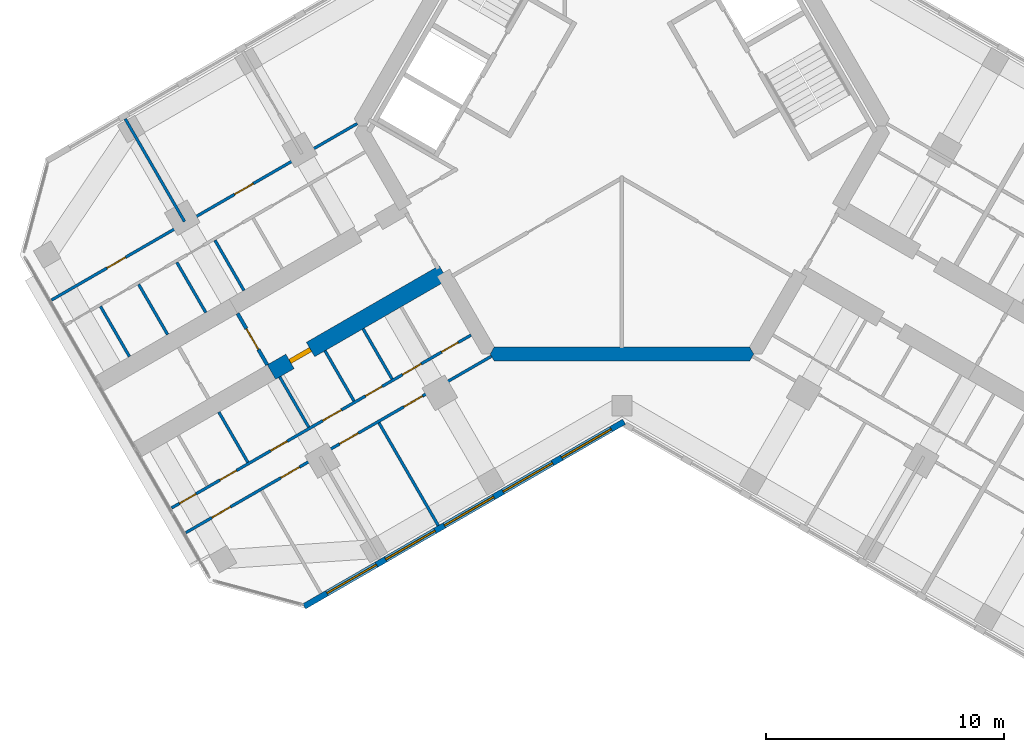
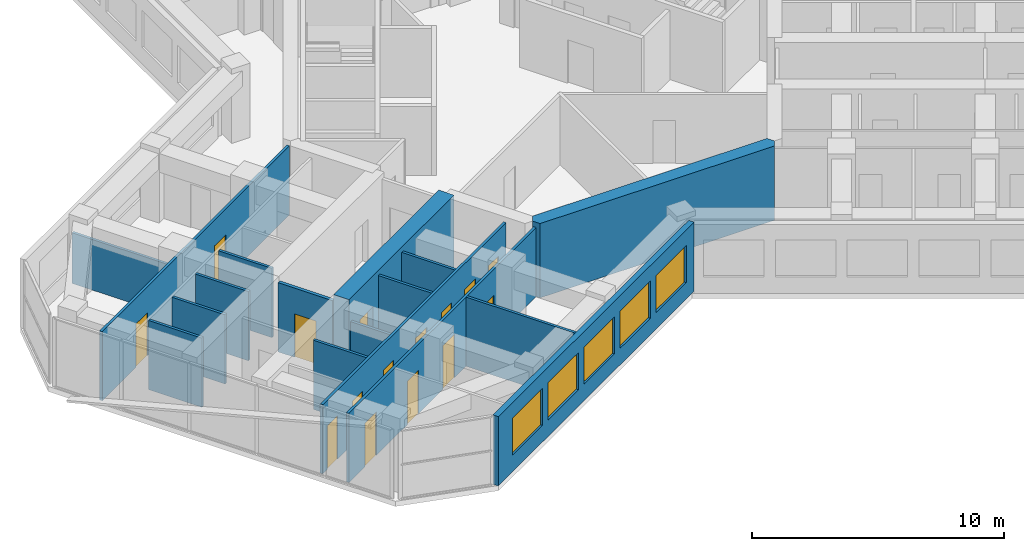
# One storey, part 8 of 16: 17 walls, 15 doors, 5 windows, 20 openings.
"""IFC4 building model written with IfcOpenShell, lengths in metres."""

from ifc_helpers import new_model, si_unit, direction, frame, frame_2d, origin, place, context, subcontext, project, spatial, polyline, rectangle, outline, extrude, material, layer, layer_set, type_object, element, fill, save


model = new_model("IFC4")

# Units and contexts
model_context = context("Model", 3, precision=1e-05, world=origin(), true_north=direction((0.0, 1.0)))
body_context = subcontext(model_context, "Body", "Model", "MODEL_VIEW")
ifc_project = project(units=[si_unit("LENGTHUNIT", "METRE"), si_unit("AREAUNIT", "SQUARE_METRE"), si_unit("VOLUMEUNIT", "CUBIC_METRE"), si_unit("PLANEANGLEUNIT", "RADIAN"), si_unit("MASSUNIT", "GRAM", prefix="KILO")], contexts=[model_context])

# Site, building, storey
site_placement = place(None, origin())
site = spatial("IfcSite", under=ifc_project, at=site_placement, CompositionType="ELEMENT")
building_placement = place(site_placement, origin())
building = spatial("IfcBuilding", under=site, at=building_placement, Name="Kosmar Iwan School Tower", CompositionType="ELEMENT")
storey_placement = place(building_placement, frame((0.0, 0.0, 238.800048828125)))
storey = spatial("IfcBuildingStorey", under=building, at=storey_placement, Name="L60", CompositionType="ELEMENT", Elevation=238.800048828125)

# Wall
ifc_material_1 = material(Name="Concrete C50/60", Category="concrete")
ifc_layer_1 = layer(ifc_material_1, 0.60009765625)
ifc_layer_set_1 = layer_set([ifc_layer_1], Name="Core wall 600")
wall_type_1 = type_object("IfcWallType", Name="Core wall 600", PredefinedType="SHEAR", material=ifc_layer_set_1)
wall_1_placement = place(storey_placement, origin())
element("IfcWall", 1, at=wall_1_placement, inside=storey, type_object=wall_type_1, Name="Core wall F270", PredefinedType="SHEAR", context=body_context, shape_type="SweptSolid", body=[
    extrude(outline(polyline([(-5.369384765625, -9.89990234375), (5.369384765625, -9.89990234375), (5.54248046875, -9.60009765625), (5.369384765625, -9.300048828125), (-5.369384765625, -9.300048828125), (-5.54248046875, -9.60009765625), (-5.369384765625, -9.89990234375)])), origin(), (0.0, 0.0, 1.0), 3.599853515625),
])

# Wall, opening, door
ifc_material_2 = material(Name="Concrete C50/60", Category="concrete")
ifc_layer_2 = layer(ifc_material_2, 0.699951171875)
ifc_layer_set_2 = layer_set([ifc_layer_2], Name="Corridor buttress wall 700")
wall_type_2 = type_object("IfcWallType", Name="Corridor buttress wall 700", PredefinedType="SHEAR", material=ifc_layer_set_2)
wall_2_placement = place(storey_placement, frame((-7.513916015625, -6.185546875, 0.0), z_axis=(0.0, 0.0, 1.0), x_axis=(-0.866019549707, -0.500010139422, 0.0)))
wall_2 = element("IfcWall", 2, at=wall_2_placement, inside=storey, type_object=wall_type_2, Name="Corridor wall BL", PredefinedType="SHEAR", context=body_context, shape_type="SweptSolid", body=[
    extrude(rectangle(XDim=8.349853515625, YDim=0.699951171875, at=frame_2d((4.1748046875, 0.0))), origin(), (0.0, 0.0, 1.0), 3.599853515625),
])
opening_1_placement = place(wall_2_placement, frame((6.449951171875, 0.0, 0.0)))
opening_1 = element("IfcOpeningElement", 3, at=opening_1_placement, cuts=wall_2, Name="Opening D1", PredefinedType="OPENING", context=body_context, shape_type="SweptSolid", body=[
    extrude(rectangle(XDim=1.0, YDim=2.10009765625, at=frame_2d((0.5, 1.050048828125))), frame((0.0, 0.362060546875, 0.0), z_axis=(0.0, -1.0, 0.0), x_axis=(1.0, 0.0, 0.0)), (0.0, 0.0, 1.0), 0.723876953125),
])
ifc_material_3 = material(Name="Timber fire door in steel frame", Category="steel")
door_type_1 = type_object("IfcDoorType", Name="Flat entrance door 1000x2100", OperationType="SINGLE_SWING_LEFT", PredefinedType="DOOR", material=ifc_material_3)
door_1_placement = place(opening_1_placement, origin())
door_1 = element("IfcDoor", 4, at=door_1_placement, inside=storey, type_object=door_type_1, Name="Flat L60-BL1 entrance door", OperationType="SINGLE_SWING_LEFT", OverallHeight=2.10009765625, OverallWidth=1.0, PredefinedType="DOOR", context=body_context, shape_type="SweptSolid", body=[
    extrude(rectangle(XDim=1.0, YDim=2.10009765625, at=frame_2d((0.5, 1.050048828125))), frame((0.0, 0.10009765625, 0.0), z_axis=(0.0, -1.0, 0.0), x_axis=(1.0, 0.0, 0.0)), (0.0, 0.0, 1.0), 0.199951171875),
])
fill(opening_1, door_1)

ifc_material_4 = material(Name="Gypsum board on steel studs, fire-rated", Category="steel")
ifc_layer_3 = layer(ifc_material_4, 0.14990234375)
ifc_layer_set_3 = layer_set([ifc_layer_3], Name="Corridor end wall 150")
wall_type_3 = type_object("IfcWallType", Name="Corridor end wall 150", PredefinedType="PARTITIONING", material=ifc_layer_set_3)
wall_3_placement = place(storey_placement, frame((-16.170166015625, -7.892578125, 0.0), z_axis=(0.0, 0.0, 1.0), x_axis=(0.500004234368, -0.866022959057, 0.0)))
wall_3 = element("IfcWall", 5, at=wall_3_placement, inside=storey, type_object=wall_type_3, Name="Partition L60-B-HW", PredefinedType="PARTITIONING", context=body_context, shape_type="SweptSolid", body=[
    extrude(rectangle(XDim=2.5, YDim=0.14990234375, at=frame_2d((1.25, 0.0))), origin(), (0.0, 0.0, 1.0), 3.349853515625),
])
opening_2_placement = place(wall_3_placement, frame((0.75, 0.0, 0.0)))
opening_2 = element("IfcOpeningElement", 6, at=opening_2_placement, cuts=wall_3, Name="Opening D13", PredefinedType="OPENING", context=body_context, shape_type="SweptSolid", body=[
    extrude(rectangle(XDim=1.0, YDim=2.10009765625, at=frame_2d((0.5, 1.050048828125))), frame((0.0, 0.0869140625, 0.0), z_axis=(0.0, -1.0, 0.0), x_axis=(1.0, 0.0, 0.0)), (0.0, 0.0, 1.0), 0.173828125),
])
ifc_material_5 = material(Name="Timber fire door with vision panel", Category="wood")
door_type_2 = type_object("IfcDoorType", Name="Corridor end door 1000x2100", OperationType="SINGLE_SWING_LEFT", PredefinedType="DOOR", material=ifc_material_5)
door_2_placement = place(opening_2_placement, origin())
door_2 = element("IfcDoor", 7, at=door_2_placement, inside=storey, type_object=door_type_2, Name="Entrance door L60-B", OperationType="SINGLE_SWING_LEFT", OverallHeight=2.10009765625, OverallWidth=1.0, PredefinedType="DOOR", context=body_context, shape_type="SweptSolid", body=[
    extrude(rectangle(XDim=1.0, YDim=2.10009765625, at=frame_2d((0.5, 1.050048828125))), frame((0.0, 0.02490234375, 0.0), z_axis=(0.0, -1.0, 0.0), x_axis=(1.0, 0.0, 0.0)), (0.0, 0.0, 1.0), 0.050048828125),
])
fill(opening_2, door_2)

# Wall, openings, doors
ifc_material_6 = material(Name="Gypsum board on steel studs", Category="steel")
ifc_layer_4 = layer(ifc_material_6, 0.1201171875)
ifc_layer_set_4 = layer_set([ifc_layer_4], Name="Dwelling partition 120")
wall_type_4 = type_object("IfcWallType", Name="Dwelling partition 120", PredefinedType="PARTITIONING", material=ifc_layer_set_4)
wall_4_placement = place(storey_placement, frame((-6.3486328125, -8.8037109375, 0.0), z_axis=(0.0, 0.0, 1.0), x_axis=(-0.866020949409, -0.500007715126, 0.0)))
wall_4 = element("IfcWall", 8, at=wall_4_placement, inside=storey, type_object=wall_type_4, Name="Partition L60-BL1-W1", PredefinedType="PARTITIONING", context=body_context, shape_type="SweptSolid", body=[
    extrude(rectangle(XDim=14.545166015625, YDim=0.1201171875, at=frame_2d((7.2724609375, 0.0))), origin(), (0.0, 0.0, 1.0), 3.349853515625),
])
opening_3_placement = place(wall_4_placement, frame((0.625, 0.0, 0.0)))
opening_3 = element("IfcOpeningElement", 9, at=opening_3_placement, cuts=wall_4, Name="Opening D3", PredefinedType="OPENING", context=body_context, shape_type="SweptSolid", body=[
    extrude(rectangle(XDim=0.800048828125, YDim=2.10009765625, at=frame_2d((0.39990234375, 1.050048828125))), frame((0.0, 0.072021484375, 0.0), z_axis=(0.0, -1.0, 0.0), x_axis=(1.0, 0.0, 0.0)), (0.0, 0.0, 1.0), 0.14404296875),
])
opening_4_placement = place(wall_4_placement, frame((2.425048828125, 0.0, 0.0)))
opening_4 = element("IfcOpeningElement", 10, at=opening_4_placement, cuts=wall_4, Name="Opening D2", PredefinedType="OPENING", context=body_context, shape_type="SweptSolid", body=[
    extrude(rectangle(XDim=0.89990234375, YDim=2.10009765625, at=frame_2d((0.449951171875, 1.050048828125))), frame((0.0, 0.072021484375, 0.0), z_axis=(0.0, -1.0, 0.0), x_axis=(1.0, 0.0, 0.0)), (0.0, 0.0, 1.0), 0.14404296875),
])
opening_5_placement = place(wall_4_placement, frame((4.324951171875, 0.0, 0.0)))
opening_5 = element("IfcOpeningElement", 11, at=opening_5_placement, cuts=wall_4, Name="Opening D3", PredefinedType="OPENING", context=body_context, shape_type="SweptSolid", body=[
    extrude(rectangle(XDim=0.800048828125, YDim=2.10009765625, at=frame_2d((0.39990234375, 1.050048828125))), frame((0.0, 0.072021484375, 0.0), z_axis=(0.0, -1.0, 0.0), x_axis=(1.0, 0.0, 0.0)), (0.0, 0.0, 1.0), 0.14404296875),
])
opening_6_placement = place(wall_4_placement, frame((6.300048828125, 0.0, 0.0)))
opening_6 = element("IfcOpeningElement", 12, at=opening_6_placement, cuts=wall_4, Name="Opening D2", PredefinedType="OPENING", context=body_context, shape_type="SweptSolid", body=[
    extrude(rectangle(XDim=0.89990234375, YDim=2.10009765625, at=frame_2d((0.449951171875, 1.050048828125))), frame((0.0, 0.072021484375, 0.0), z_axis=(0.0, -1.0, 0.0), x_axis=(1.0, 0.0, 0.0)), (0.0, 0.0, 1.0), 0.14404296875),
])
opening_7_placement = place(wall_4_placement, frame((8.928466796875, 0.0, 0.0)))
opening_7 = element("IfcOpeningElement", 13, at=opening_7_placement, cuts=wall_4, Name="Opening D3", PredefinedType="OPENING", context=body_context, shape_type="SweptSolid", body=[
    extrude(rectangle(XDim=0.800048828125, YDim=2.10009765625, at=frame_2d((0.39990234375, 1.050048828125))), frame((0.0, 0.072021484375, 0.0), z_axis=(0.0, -1.0, 0.0), x_axis=(1.0, 0.0, 0.0)), (0.0, 0.0, 1.0), 0.14404296875),
])
opening_8_placement = place(wall_4_placement, frame((11.392822265625, 0.0, 0.0)))
opening_8 = element("IfcOpeningElement", 14, at=opening_8_placement, cuts=wall_4, Name="Opening D3", PredefinedType="OPENING", context=body_context, shape_type="SweptSolid", body=[
    extrude(rectangle(XDim=0.800048828125, YDim=2.10009765625, at=frame_2d((0.39990234375, 1.050048828125))), frame((0.0, 0.072021484375, 0.0), z_axis=(0.0, -1.0, 0.0), x_axis=(1.0, 0.0, 0.0)), (0.0, 0.0, 1.0), 0.14404296875),
])
opening_9_placement = place(wall_4_placement, frame((13.3642578125, 0.0, 0.0)))
opening_9 = element("IfcOpeningElement", 15, at=opening_9_placement, cuts=wall_4, Name="Opening D3", PredefinedType="OPENING", context=body_context, shape_type="SweptSolid", body=[
    extrude(rectangle(XDim=0.800048828125, YDim=2.10009765625, at=frame_2d((0.39990234375, 1.050048828125))), frame((0.0, 0.072021484375, 0.0), z_axis=(0.0, -1.0, 0.0), x_axis=(1.0, 0.0, 0.0)), (0.0, 0.0, 1.0), 0.14404296875),
])
ifc_material_7 = material(Name="Timber door in timber frame", Category="wood")
door_type_3 = type_object("IfcDoorType", Name="Internal door 900x2100", OperationType="SINGLE_SWING_LEFT", PredefinedType="DOOR", material=ifc_material_7)
door_3_placement = place(opening_4_placement, origin())
door_3 = element("IfcDoor", 16, at=door_3_placement, inside=storey, type_object=door_type_3, Name="Pantry door L60-BL1-S2", OperationType="SINGLE_SWING_RIGHT", OverallHeight=2.10009765625, OverallWidth=0.89990234375, PredefinedType="DOOR", context=body_context, shape_type="SweptSolid", body=[
    extrude(rectangle(XDim=0.89990234375, YDim=2.10009765625, at=frame_2d((0.449951171875, 1.050048828125))), frame((0.0, 0.02490234375, 0.0), z_axis=(0.0, -1.0, 0.0), x_axis=(1.0, 0.0, 0.0)), (0.0, 0.0, 1.0), 0.050048828125),
])
fill(opening_4, door_3)
door_4_placement = place(opening_6_placement, origin())
door_4 = element("IfcDoor", 17, at=door_4_placement, inside=storey, type_object=door_type_3, Name="Entrance hall door L60-BL1-S4", OperationType="SINGLE_SWING_LEFT", OverallHeight=2.10009765625, OverallWidth=0.89990234375, PredefinedType="DOOR", context=body_context, shape_type="SweptSolid", body=[
    extrude(rectangle(XDim=0.89990234375, YDim=2.10009765625, at=frame_2d((0.449951171875, 1.050048828125))), frame((0.0, 0.02490234375, 0.0), z_axis=(0.0, -1.0, 0.0), x_axis=(1.0, 0.0, 0.0)), (0.0, 0.0, 1.0), 0.050048828125),
])
fill(opening_6, door_4)
ifc_material_8 = material(Name="Timber door in timber frame", Category="wood")
door_type_4 = type_object("IfcDoorType", Name="Sanitary room door 800x2100", OperationType="SINGLE_SWING_LEFT", PredefinedType="DOOR", material=ifc_material_8)
door_5_placement = place(opening_3_placement, origin())
door_5 = element("IfcDoor", 18, at=door_5_placement, inside=storey, type_object=door_type_4, Name="Store door L60-BL1-S1", OperationType="SINGLE_SWING_LEFT", OverallHeight=2.10009765625, OverallWidth=0.800048828125, PredefinedType="DOOR", context=body_context, shape_type="SweptSolid", body=[
    extrude(rectangle(XDim=0.800048828125, YDim=2.10009765625, at=frame_2d((0.39990234375, 1.050048828125))), frame((0.0, 0.02490234375, 0.0), z_axis=(0.0, -1.0, 0.0), x_axis=(1.0, 0.0, 0.0)), (0.0, 0.0, 1.0), 0.050048828125),
])
fill(opening_3, door_5)
door_6_placement = place(opening_5_placement, origin())
door_6 = element("IfcDoor", 19, at=door_6_placement, inside=storey, type_object=door_type_4, Name="Grandparents' shower room door L60-BL1-S3", OperationType="SINGLE_SWING_LEFT", OverallHeight=2.10009765625, OverallWidth=0.800048828125, PredefinedType="DOOR", context=body_context, shape_type="SweptSolid", body=[
    extrude(rectangle(XDim=0.800048828125, YDim=2.10009765625, at=frame_2d((0.39990234375, 1.050048828125))), frame((0.0, 0.02490234375, 0.0), z_axis=(0.0, -1.0, 0.0), x_axis=(1.0, 0.0, 0.0)), (0.0, 0.0, 1.0), 0.050048828125),
])
fill(opening_5, door_6)
door_7_placement = place(opening_7_placement, origin())
door_7 = element("IfcDoor", 20, at=door_7_placement, inside=storey, type_object=door_type_4, Name="Bathroom door L60-BL1-S5", OperationType="SINGLE_SWING_RIGHT", OverallHeight=2.10009765625, OverallWidth=0.800048828125, PredefinedType="DOOR", context=body_context, shape_type="SweptSolid", body=[
    extrude(rectangle(XDim=0.800048828125, YDim=2.10009765625, at=frame_2d((0.39990234375, 1.050048828125))), frame((0.0, 0.02490234375, 0.0), z_axis=(0.0, -1.0, 0.0), x_axis=(1.0, 0.0, 0.0)), (0.0, 0.0, 1.0), 0.050048828125),
])
fill(opening_7, door_7)
door_8_placement = place(opening_8_placement, origin())
door_8 = element("IfcDoor", 21, at=door_8_placement, inside=storey, type_object=door_type_4, Name="Shower room door L60-BL1-S6", OperationType="SINGLE_SWING_RIGHT", OverallHeight=2.10009765625, OverallWidth=0.800048828125, PredefinedType="DOOR", context=body_context, shape_type="SweptSolid", body=[
    extrude(rectangle(XDim=0.800048828125, YDim=2.10009765625, at=frame_2d((0.39990234375, 1.050048828125))), frame((0.0, 0.02490234375, 0.0), z_axis=(0.0, -1.0, 0.0), x_axis=(1.0, 0.0, 0.0)), (0.0, 0.0, 1.0), 0.050048828125),
])
fill(opening_8, door_8)
door_9_placement = place(opening_9_placement, origin())
door_9 = element("IfcDoor", 22, at=door_9_placement, inside=storey, type_object=door_type_4, Name="WC door L60-BL1-S7", OperationType="SINGLE_SWING_RIGHT", OverallHeight=2.10009765625, OverallWidth=0.800048828125, PredefinedType="DOOR", context=body_context, shape_type="SweptSolid", body=[
    extrude(rectangle(XDim=0.800048828125, YDim=2.10009765625, at=frame_2d((0.39990234375, 1.050048828125))), frame((0.0, 0.02490234375, 0.0), z_axis=(0.0, -1.0, 0.0), x_axis=(1.0, 0.0, 0.0)), (0.0, 0.0, 1.0), 0.050048828125),
])
fill(opening_9, door_9)

wall_5_placement = place(storey_placement, frame((-5.48876953125, -9.693115234375, 0.0), z_axis=(0.0, 0.0, 1.0), x_axis=(-0.866030301974, -0.499991515992, 0.0)))
wall_5 = element("IfcWall", 23, at=wall_5_placement, inside=storey, type_object=wall_type_4, Name="Partition L60-BL1-W2", PredefinedType="PARTITIONING", context=body_context, shape_type="SweptSolid", body=[
    extrude(rectangle(XDim=14.844970703125, YDim=0.1201171875, at=frame_2d((7.42236328125, 0.0))), origin(), (0.0, 0.0, 1.0), 3.349853515625),
])
opening_10_placement = place(wall_5_placement, frame((3.35009765625, 0.0, 0.0)))
opening_10 = element("IfcOpeningElement", 24, at=opening_10_placement, cuts=wall_5, Name="Opening D2", PredefinedType="OPENING", context=body_context, shape_type="SweptSolid", body=[
    extrude(rectangle(XDim=0.89990234375, YDim=2.10009765625, at=frame_2d((0.449951171875, 1.050048828125))), frame((0.0, 0.072021484375, 0.0), z_axis=(0.0, -1.0, 0.0), x_axis=(1.0, 0.0, 0.0)), (0.0, 0.0, 1.0), 0.14404296875),
])
opening_11_placement = place(wall_5_placement, frame((6.47509765625, 0.0, 0.0)))
opening_11 = element("IfcOpeningElement", 25, at=opening_11_placement, cuts=wall_5, Name="Opening D2", PredefinedType="OPENING", context=body_context, shape_type="SweptSolid", body=[
    extrude(rectangle(XDim=0.89990234375, YDim=2.10009765625, at=frame_2d((0.449951171875, 1.050048828125))), frame((0.0, 0.072021484375, 0.0), z_axis=(0.0, -1.0, 0.0), x_axis=(1.0, 0.0, 0.0)), (0.0, 0.0, 1.0), 0.14404296875),
])
opening_12_placement = place(wall_5_placement, frame((9.324951171875, 0.0, 0.0)))
opening_12 = element("IfcOpeningElement", 26, at=opening_12_placement, cuts=wall_5, Name="Opening D2", PredefinedType="OPENING", context=body_context, shape_type="SweptSolid", body=[
    extrude(rectangle(XDim=0.89990234375, YDim=2.10009765625, at=frame_2d((0.449951171875, 1.050048828125))), frame((0.0, 0.072021484375, 0.0), z_axis=(0.0, -1.0, 0.0), x_axis=(1.0, 0.0, 0.0)), (0.0, 0.0, 1.0), 0.14404296875),
])
opening_13_placement = place(wall_5_placement, frame((12.675048828125, 0.0, 0.0)))
opening_13 = element("IfcOpeningElement", 27, at=opening_13_placement, cuts=wall_5, Name="Opening D2", PredefinedType="OPENING", context=body_context, shape_type="SweptSolid", body=[
    extrude(rectangle(XDim=0.89990234375, YDim=2.10009765625, at=frame_2d((0.449951171875, 1.050048828125))), frame((0.0, 0.072021484375, 0.0), z_axis=(0.0, -1.0, 0.0), x_axis=(1.0, 0.0, 0.0)), (0.0, 0.0, 1.0), 0.14404296875),
])
door_10_placement = place(opening_10_placement, origin())
door_10 = element("IfcDoor", 28, at=door_10_placement, inside=storey, type_object=door_type_3, Name="Living room and kitchen door L60-BL1-F1", OperationType="SINGLE_SWING_RIGHT", OverallHeight=2.10009765625, OverallWidth=0.89990234375, PredefinedType="DOOR", context=body_context, shape_type="SweptSolid", body=[
    extrude(rectangle(XDim=0.89990234375, YDim=2.10009765625, at=frame_2d((0.449951171875, 1.050048828125))), frame((0.0, 0.02490234375, 0.0), z_axis=(0.0, -1.0, 0.0), x_axis=(1.0, 0.0, 0.0)), (0.0, 0.0, 1.0), 0.050048828125),
])
fill(opening_10, door_10)
door_11_placement = place(opening_11_placement, origin())
door_11 = element("IfcDoor", 29, at=door_11_placement, inside=storey, type_object=door_type_3, Name="Bedroom 1 door L60-BL1-F2", OperationType="SINGLE_SWING_RIGHT", OverallHeight=2.10009765625, OverallWidth=0.89990234375, PredefinedType="DOOR", context=body_context, shape_type="SweptSolid", body=[
    extrude(rectangle(XDim=0.89990234375, YDim=2.10009765625, at=frame_2d((0.449951171875, 1.050048828125))), frame((0.0, 0.02490234375, 0.0), z_axis=(0.0, -1.0, 0.0), x_axis=(1.0, 0.0, 0.0)), (0.0, 0.0, 1.0), 0.050048828125),
])
fill(opening_11, door_11)
door_12_placement = place(opening_12_placement, origin())
door_12 = element("IfcDoor", 30, at=door_12_placement, inside=storey, type_object=door_type_3, Name="Grandparents' suite door L60-BL1-F3", OperationType="SINGLE_SWING_LEFT", OverallHeight=2.10009765625, OverallWidth=0.89990234375, PredefinedType="DOOR", context=body_context, shape_type="SweptSolid", body=[
    extrude(rectangle(XDim=0.89990234375, YDim=2.10009765625, at=frame_2d((0.449951171875, 1.050048828125))), frame((0.0, 0.02490234375, 0.0), z_axis=(0.0, -1.0, 0.0), x_axis=(1.0, 0.0, 0.0)), (0.0, 0.0, 1.0), 0.050048828125),
])
fill(opening_12, door_12)
door_13_placement = place(opening_13_placement, origin())
door_13 = element("IfcDoor", 31, at=door_13_placement, inside=storey, type_object=door_type_3, Name="Study door L60-BL1-F4", OperationType="SINGLE_SWING_RIGHT", OverallHeight=2.10009765625, OverallWidth=0.89990234375, PredefinedType="DOOR", context=body_context, shape_type="SweptSolid", body=[
    extrude(rectangle(XDim=0.89990234375, YDim=2.10009765625, at=frame_2d((0.449951171875, 1.050048828125))), frame((0.0, 0.02490234375, 0.0), z_axis=(0.0, -1.0, 0.0), x_axis=(1.0, 0.0, 0.0)), (0.0, 0.0, 1.0), 0.050048828125),
])
fill(opening_13, door_13)

# Walls
wall_6_placement = place(storey_placement, frame((-10.221923828125, -12.4951171875, 0.0), z_axis=(0.0, 0.0, 1.0), x_axis=(0.499996339024, -0.86602751744, 0.0)))
element("IfcWall", 32, at=wall_6_placement, inside=storey, type_object=wall_type_4, Name="Partition L60-BL1-X1", PredefinedType="PARTITIONING", context=body_context, shape_type="SweptSolid", body=[
    extrude(rectangle(XDim=4.98974609375, YDim=0.1201171875, at=frame_2d((2.494873046875, 0.0))), origin(), (0.0, 0.0, 1.0), 3.349853515625),
])
wall_7_placement = place(storey_placement, frame((-10.8896484375, -8.538818359375, 0.0), z_axis=(0.0, 0.0, 1.0), x_axis=(0.500077547548, -0.865980627057, 0.0)))
element("IfcWall", 33, at=wall_7_placement, inside=storey, type_object=wall_type_4, Name="Partition L60-BL1-Y2", PredefinedType="PARTITIONING", context=body_context, shape_type="SweptSolid", body=[
    extrude(rectangle(XDim=2.43994140625, YDim=0.1201171875, at=frame_2d((1.219970703125, 0.0))), origin(), (0.0, 0.0, 1.0), 3.349853515625),
])
wall_8_placement = place(storey_placement, frame((-12.49169921875, -9.463623046875, 0.0), z_axis=(0.0, 0.0, 1.0), x_axis=(0.499959183527, -0.866048967903, 0.0)))
element("IfcWall", 34, at=wall_8_placement, inside=storey, type_object=wall_type_4, Name="Partition L60-BL1-Y3", PredefinedType="PARTITIONING", context=body_context, shape_type="SweptSolid", body=[
    extrude(rectangle(XDim=2.440185546875, YDim=0.1201171875, at=frame_2d((1.22021484375, 0.0))), origin(), (0.0, 0.0, 1.0), 3.349853515625),
])
wall_9_placement = place(storey_placement, frame((-14.39697265625, -10.563720703125, 0.0), z_axis=(0.0, 0.0, 1.0), x_axis=(0.500002508028, -0.866023955769, 0.0)))
element("IfcWall", 35, at=wall_9_placement, inside=storey, type_object=wall_type_4, Name="Partition L60-BL1-Y4", PredefinedType="PARTITIONING", context=body_context, shape_type="SweptSolid", body=[
    extrude(rectangle(XDim=2.43994140625, YDim=0.1201171875, at=frame_2d((1.219970703125, 0.0))), origin(), (0.0, 0.0, 1.0), 2.449951171875),
])
wall_10_placement = place(storey_placement, frame((-16.9580078125, -12.042236328125, 0.0), z_axis=(0.0, 0.0, 1.0), x_axis=(0.500034220881, -0.866005645448, 0.0)))
element("IfcWall", 36, at=wall_10_placement, inside=storey, type_object=wall_type_4, Name="Partition L60-BL1-Y5", PredefinedType="PARTITIONING", context=body_context, shape_type="SweptSolid", body=[
    extrude(rectangle(XDim=2.440185546875, YDim=0.1201171875, at=frame_2d((1.22021484375, 0.0))), origin(), (0.0, 0.0, 1.0), 3.349853515625),
])

# Wall, openings, doors
wall_11_placement = place(storey_placement, frame((-11.138916015625, 0.093017578125, 0.0), z_axis=(0.0, 0.0, 1.0), x_axis=(-0.866030301974, -0.499991515992, 0.0)))
wall_11 = element("IfcWall", 37, at=wall_11_placement, inside=storey, type_object=wall_type_4, Name="Partition L60-BR1-W2", PredefinedType="PARTITIONING", context=body_context, shape_type="SweptSolid", body=[
    extrude(rectangle(XDim=14.844970703125, YDim=0.1201171875, at=frame_2d((7.42236328125, 0.0))), origin(), (0.0, 0.0, 1.0), 3.349853515625),
])
opening_14_placement = place(wall_11_placement, frame((5.050048828125, 0.0, 0.0)))
opening_14 = element("IfcOpeningElement", 38, at=opening_14_placement, cuts=wall_11, Name="Opening D2", PredefinedType="OPENING", context=body_context, shape_type="SweptSolid", body=[
    extrude(rectangle(XDim=0.89990234375, YDim=2.10009765625, at=frame_2d((0.449951171875, 1.050048828125))), frame((0.0, 0.072021484375, 0.0), z_axis=(0.0, -1.0, 0.0), x_axis=(1.0, 0.0, 0.0)), (0.0, 0.0, 1.0), 0.14404296875),
])
opening_15_placement = place(wall_11_placement, frame((11.25, 0.0, 0.0)))
opening_15 = element("IfcOpeningElement", 39, at=opening_15_placement, cuts=wall_11, Name="Opening D2", PredefinedType="OPENING", context=body_context, shape_type="SweptSolid", body=[
    extrude(rectangle(XDim=0.89990234375, YDim=2.10009765625, at=frame_2d((0.449951171875, 1.050048828125))), frame((0.0, 0.072021484375, 0.0), z_axis=(0.0, -1.0, 0.0), x_axis=(1.0, 0.0, 0.0)), (0.0, 0.0, 1.0), 0.14404296875),
])
door_14_placement = place(opening_14_placement, origin())
door_14 = element("IfcDoor", 40, at=door_14_placement, inside=storey, type_object=door_type_3, Name="Family room door L60-BR1-F2", OperationType="SINGLE_SWING_LEFT", OverallHeight=2.10009765625, OverallWidth=0.89990234375, PredefinedType="DOOR", context=body_context, shape_type="SweptSolid", body=[
    extrude(rectangle(XDim=0.89990234375, YDim=2.10009765625, at=frame_2d((0.449951171875, 1.050048828125))), frame((0.0, 0.02490234375, 0.0), z_axis=(0.0, -1.0, 0.0), x_axis=(1.0, 0.0, 0.0)), (0.0, 0.0, 1.0), 0.050048828125),
])
fill(opening_14, door_14)
door_15_placement = place(opening_15_placement, origin())
door_15 = element("IfcDoor", 41, at=door_15_placement, inside=storey, type_object=door_type_3, Name="Bedroom 1 door L60-BR1-F3", OperationType="SINGLE_SWING_RIGHT", OverallHeight=2.10009765625, OverallWidth=0.89990234375, PredefinedType="DOOR", context=body_context, shape_type="SweptSolid", body=[
    extrude(rectangle(XDim=0.89990234375, YDim=2.10009765625, at=frame_2d((0.449951171875, 1.050048828125))), frame((0.0, 0.02490234375, 0.0), z_axis=(0.0, -1.0, 0.0), x_axis=(1.0, 0.0, 0.0)), (0.0, 0.0, 1.0), 0.050048828125),
])
fill(opening_15, door_15)

# Walls
wall_12_placement = place(storey_placement, frame((-18.400146484375, -4.030029296875, 0.0), z_axis=(0.0, 0.0, 1.0), x_axis=(-0.500011847778, 0.866018563358, 0.0)))
element("IfcWall", 42, at=wall_12_placement, inside=storey, type_object=wall_type_4, Name="Partition L60-BR1-X2", PredefinedType="PARTITIONING", context=body_context, shape_type="SweptSolid", body=[
    extrude(rectangle(XDim=4.990234375, YDim=0.1201171875, at=frame_2d((2.4951171875, 0.0))), origin(), (0.0, 0.0, 1.0), 2.449951171875),
])
for number, where, z_axis, x_axis, name in (
    (43, (-15.900634765625, -6.928466796875, 0.0), (0.0, 0.0, 1.0), (-0.500002508028, 0.866023955769, 0.0), "Partition L60-BR1-Y3"),
    (44, (-17.506103515625, -7.85546875, 0.0), (0.0, 0.0, 1.0), (-0.500002508028, 0.866023955769, 0.0), "Partition L60-BR1-Y4"),
):
    element("IfcWall", number, at=place(storey_placement, frame(where, z_axis=z_axis, x_axis=x_axis)), inside=storey, type_object=wall_type_4, Name=name, PredefinedType="PARTITIONING", context=body_context, shape_type="SweptSolid", body=[
        extrude(rectangle(XDim=2.43994140625, YDim=0.1201171875, at=frame_2d((1.219970703125, 0.0))), origin(), (0.0, 0.0, 1.0), 3.349853515625),
    ])
wall_13_placement = place(storey_placement, frame((-19.111572265625, -8.782470703125, 0.0), z_axis=(0.0, 0.0, 1.0), x_axis=(-0.499959183527, 0.866048967903, 0.0)))
element("IfcWall", 45, at=wall_13_placement, inside=storey, type_object=wall_type_4, Name="Partition L60-BR1-Y5", PredefinedType="PARTITIONING", context=body_context, shape_type="SweptSolid", body=[
    extrude(rectangle(XDim=2.440185546875, YDim=0.1201171875, at=frame_2d((1.22021484375, 0.0))), origin(), (0.0, 0.0, 1.0), 3.349853515625),
])
wall_14_placement = place(storey_placement, frame((-20.717041015625, -9.709228515625, 0.0), z_axis=(0.0, 0.0, 1.0), x_axis=(-0.500002508028, 0.866023955769, 0.0)))
element("IfcWall", 46, at=wall_14_placement, inside=storey, type_object=wall_type_4, Name="Partition L60-BR1-Y6", PredefinedType="PARTITIONING", context=body_context, shape_type="SweptSolid", body=[
    extrude(rectangle(XDim=2.43994140625, YDim=0.1201171875, at=frame_2d((1.219970703125, 0.0))), origin(), (0.0, 0.0, 1.0), 3.349853515625),
])

# Wall, openings, windows
ifc_material_9 = material(Name="Black aluminium rainscreen on insulated framing", Category="aluminium")
ifc_layer_5 = layer(ifc_material_9, 0.25)
ifc_layer_set_5 = layer_set([ifc_layer_5], Name="External wall rainscreen 250")
wall_type_5 = type_object("IfcWallType", Name="External wall rainscreen 250", PredefinedType="SOLIDWALL", material=ifc_layer_set_5)
wall_15_placement = place(storey_placement, frame((0.088134765625, -12.44873046875, 0.0), z_axis=(0.0, 0.0, 1.0), x_axis=(-0.866029894971, -0.499992220956, 0.0)))
wall_15 = element("IfcWall", 47, at=wall_15_placement, inside=storey, type_object=wall_type_5, Name="External wall BL L60", PredefinedType="SOLIDWALL", context=body_context, shape_type="SweptSolid", body=[
    extrude(rectangle(XDim=15.537353515625, YDim=0.25, at=frame_2d((7.7685546875, 0.0))), origin(), (0.0, 0.0, 1.0), 3.349853515625),
])
opening_16_placement = place(wall_15_placement, frame((0.626953125, 0.0, 0.800048828125)))
opening_16 = element("IfcOpeningElement", 48, at=opening_16_placement, cuts=wall_15, Name="Opening W5", PredefinedType="OPENING", context=body_context, shape_type="SweptSolid", body=[
    extrude(rectangle(XDim=2.39990234375, YDim=1.800048828125, at=frame_2d((1.199951171875, 0.89990234375))), frame((0.0, 0.136962890625, 0.0), z_axis=(0.0, -1.0, 0.0), x_axis=(1.0, 0.0, 0.0)), (0.0, 0.0, 1.0), 0.27392578125),
])
opening_17_placement = place(wall_15_placement, frame((3.47705078125, 0.0, 0.800048828125)))
opening_17 = element("IfcOpeningElement", 49, at=opening_17_placement, cuts=wall_15, Name="Opening W5", PredefinedType="OPENING", context=body_context, shape_type="SweptSolid", body=[
    extrude(rectangle(XDim=2.39990234375, YDim=1.800048828125, at=frame_2d((1.199951171875, 0.89990234375))), frame((0.0, 0.136962890625, 0.0), z_axis=(0.0, -1.0, 0.0), x_axis=(1.0, 0.0, 0.0)), (0.0, 0.0, 1.0), 0.27392578125),
])
opening_18_placement = place(wall_15_placement, frame((6.326904296875, 0.0, 0.800048828125)))
opening_18 = element("IfcOpeningElement", 50, at=opening_18_placement, cuts=wall_15, Name="Opening W5", PredefinedType="OPENING", context=body_context, shape_type="SweptSolid", body=[
    extrude(rectangle(XDim=2.39990234375, YDim=1.800048828125, at=frame_2d((1.199951171875, 0.89990234375))), frame((0.0, 0.136962890625, 0.0), z_axis=(0.0, -1.0, 0.0), x_axis=(1.0, 0.0, 0.0)), (0.0, 0.0, 1.0), 0.27392578125),
])
opening_19_placement = place(wall_15_placement, frame((9.177001953125, 0.0, 0.800048828125)))
opening_19 = element("IfcOpeningElement", 51, at=opening_19_placement, cuts=wall_15, Name="Opening W5", PredefinedType="OPENING", context=body_context, shape_type="SweptSolid", body=[
    extrude(rectangle(XDim=2.39990234375, YDim=1.800048828125, at=frame_2d((1.199951171875, 0.89990234375))), frame((0.0, 0.136962890625, 0.0), z_axis=(0.0, -1.0, 0.0), x_axis=(1.0, 0.0, 0.0)), (0.0, 0.0, 1.0), 0.27392578125),
])
opening_20_placement = place(wall_15_placement, frame((12.027099609375, 0.0, 0.800048828125)))
opening_20 = element("IfcOpeningElement", 52, at=opening_20_placement, cuts=wall_15, Name="Opening W5", PredefinedType="OPENING", context=body_context, shape_type="SweptSolid", body=[
    extrude(rectangle(XDim=2.39990234375, YDim=1.800048828125, at=frame_2d((1.199951171875, 0.89990234375))), frame((0.0, 0.136962890625, 0.0), z_axis=(0.0, -1.0, 0.0), x_axis=(1.0, 0.0, 0.0)), (0.0, 0.0, 1.0), 0.27392578125),
])
ifc_material_10 = material(Name="Black aluminium frame with dark triple glazing", Category="aluminium")
window_type = type_object("IfcWindowType", Name="Window 2400x1800", PartitioningType="SINGLE_PANEL", PredefinedType="WINDOW", material=ifc_material_10)
window_1_placement = place(opening_16_placement, origin())
window_1 = element("IfcWindow", 53, at=window_1_placement, inside=storey, type_object=window_type, Name="Window BL L60 -1", OverallHeight=1.800048828125, OverallWidth=2.39990234375, PartitioningType="SINGLE_PANEL", PredefinedType="WINDOW", context=body_context, shape_type="SweptSolid", body=[
    extrude(rectangle(XDim=2.39990234375, YDim=1.800048828125, at=frame_2d((1.199951171875, 0.89990234375))), frame((0.0, 0.030029296875, 0.0), z_axis=(0.0, -1.0, 0.0), x_axis=(1.0, 0.0, 0.0)), (0.0, 0.0, 1.0), 0.06005859375),
])
fill(opening_16, window_1)
window_2_placement = place(opening_17_placement, origin())
window_2 = element("IfcWindow", 54, at=window_2_placement, inside=storey, type_object=window_type, Name="Window BL L60 0", OverallHeight=1.800048828125, OverallWidth=2.39990234375, PartitioningType="SINGLE_PANEL", PredefinedType="WINDOW", context=body_context, shape_type="SweptSolid", body=[
    extrude(rectangle(XDim=2.39990234375, YDim=1.800048828125, at=frame_2d((1.199951171875, 0.89990234375))), frame((0.0, 0.030029296875, 0.0), z_axis=(0.0, -1.0, 0.0), x_axis=(1.0, 0.0, 0.0)), (0.0, 0.0, 1.0), 0.06005859375),
])
fill(opening_17, window_2)
window_3_placement = place(opening_18_placement, origin())
window_3 = element("IfcWindow", 55, at=window_3_placement, inside=storey, type_object=window_type, Name="Window BL L60 1", OverallHeight=1.800048828125, OverallWidth=2.39990234375, PartitioningType="SINGLE_PANEL", PredefinedType="WINDOW", context=body_context, shape_type="SweptSolid", body=[
    extrude(rectangle(XDim=2.39990234375, YDim=1.800048828125, at=frame_2d((1.199951171875, 0.89990234375))), frame((0.0, 0.030029296875, 0.0), z_axis=(0.0, -1.0, 0.0), x_axis=(1.0, 0.0, 0.0)), (0.0, 0.0, 1.0), 0.06005859375),
])
fill(opening_18, window_3)
window_4_placement = place(opening_19_placement, origin())
window_4 = element("IfcWindow", 56, at=window_4_placement, inside=storey, type_object=window_type, Name="Window BL L60 2", OverallHeight=1.800048828125, OverallWidth=2.39990234375, PartitioningType="SINGLE_PANEL", PredefinedType="WINDOW", context=body_context, shape_type="SweptSolid", body=[
    extrude(rectangle(XDim=2.39990234375, YDim=1.800048828125, at=frame_2d((1.199951171875, 0.89990234375))), frame((0.0, 0.030029296875, 0.0), z_axis=(0.0, -1.0, 0.0), x_axis=(1.0, 0.0, 0.0)), (0.0, 0.0, 1.0), 0.06005859375),
])
fill(opening_19, window_4)
window_5_placement = place(opening_20_placement, origin())
window_5 = element("IfcWindow", 57, at=window_5_placement, inside=storey, type_object=window_type, Name="Window BL L60 3", OverallHeight=1.800048828125, OverallWidth=2.39990234375, PartitioningType="SINGLE_PANEL", PredefinedType="WINDOW", context=body_context, shape_type="SweptSolid", body=[
    extrude(rectangle(XDim=2.39990234375, YDim=1.800048828125, at=frame_2d((1.199951171875, 0.89990234375))), frame((0.0, 0.030029296875, 0.0), z_axis=(0.0, -1.0, 0.0), x_axis=(1.0, 0.0, 0.0)), (0.0, 0.0, 1.0), 0.06005859375),
])
fill(opening_20, window_5)

save(model, "model.ifc")
